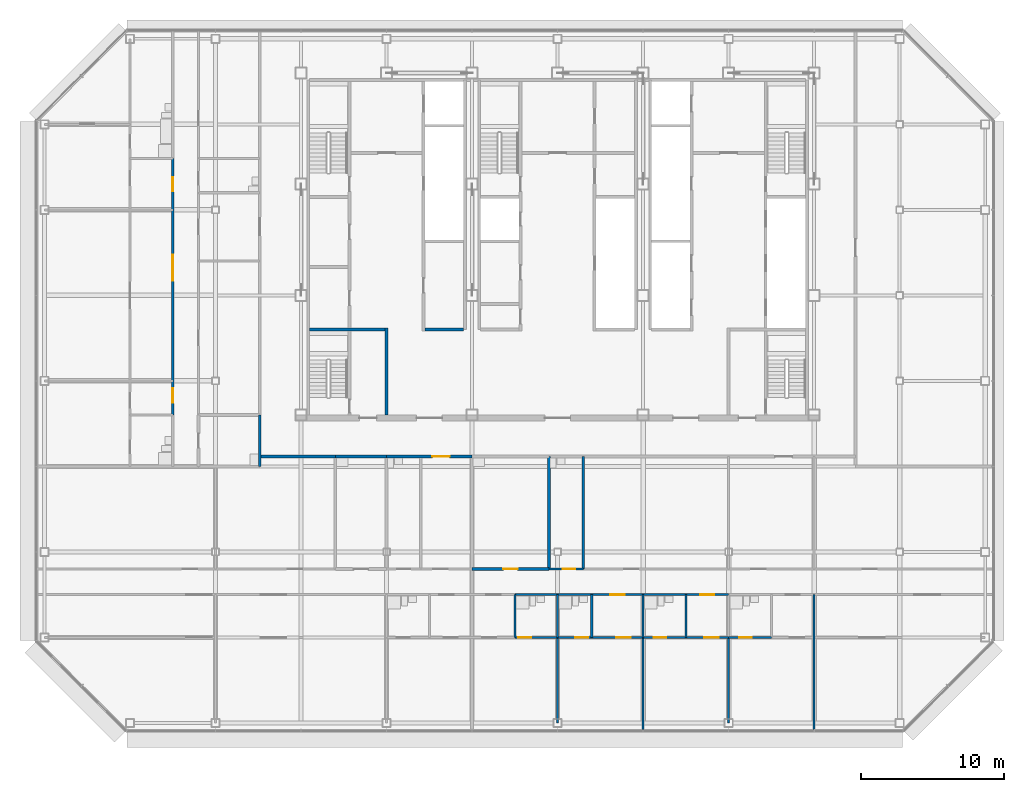
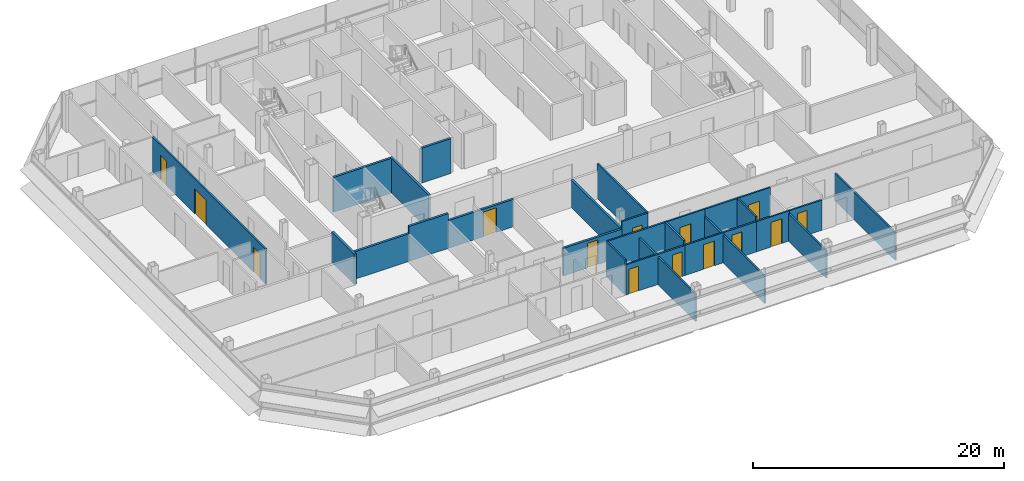
# One storey, part 22 of 28: 30 walls, 14 doors, 14 openings.
"""IFC4 building model written with IfcOpenShell, lengths in metres."""

from ifc_helpers import new_model, si_unit, direction, frame, frame_2d, origin, place, context, subcontext, project, spatial, rectangle, extrude, material, layer, layer_set, type_object, element, fill, save


model = new_model("IFC4")

# Units and contexts
model_context = context("Model", 3, precision=1e-05, world=origin(), true_north=direction((0.0, 1.0)))
body_context = subcontext(model_context, "Body", "Model", "MODEL_VIEW")
ifc_project = project(units=[si_unit("LENGTHUNIT", "METRE"), si_unit("AREAUNIT", "SQUARE_METRE"), si_unit("VOLUMEUNIT", "CUBIC_METRE"), si_unit("PLANEANGLEUNIT", "RADIAN"), si_unit("MASSUNIT", "GRAM", prefix="KILO")], contexts=[model_context])

# Site, building, storey
site_placement = place(None, origin())
site = spatial("IfcSite", under=ifc_project, at=site_placement, CompositionType="ELEMENT")
building_placement = place(site_placement, origin())
building = spatial("IfcBuilding", under=site, at=building_placement, Name="Sorahane Residences", CompositionType="ELEMENT")
storey_placement = place(building_placement, frame((0.0, 0.0, 254.0)))
storey = spatial("IfcBuildingStorey", under=building, at=storey_placement, Name="L60", CompositionType="ELEMENT", Elevation=254.0)

# Wall
ifc_material_1 = material(Name="Concrete blockwork C20 wall", Category="masonry")
ifc_layer_1 = layer(ifc_material_1, 0.199951171875)
ifc_layer_set_1 = layer_set([ifc_layer_1], Name="Corridor wall 200 EI 120")
wall_type_1 = type_object("IfcWallType", Name="Corridor wall 200 EI 120", PredefinedType="SOLIDWALL", material=ifc_layer_set_1)
wall_1_placement = place(storey_placement, frame((3.10009765625, 18.699951171875, 0.0), z_axis=(0.0, 0.0, 1.0), x_axis=(1.0, 0.0, 0.0)))
element("IfcWall", 1, at=wall_1_placement, inside=storey, type_object=wall_type_1, Name="L60 corridor wall", PredefinedType="SOLIDWALL", context=body_context, shape_type="SweptSolid", body=[
    extrude(rectangle(XDim=5.2998046875, YDim=0.199951171875, at=frame_2d((2.64990234375, 0.0))), origin(), (0.0, 0.0, 1.0), 2.679931640625),
])

# Wall, opening, door
wall_2_placement = place(storey_placement, frame((12.0, 18.699951171875, 0.0), z_axis=(0.0, 0.0, 1.0), x_axis=(1.0, 0.0, 0.0)))
wall_2 = element("IfcWall", 2, at=wall_2_placement, inside=storey, type_object=wall_type_1, Name="L60 corridor wall", PredefinedType="SOLIDWALL", context=body_context, shape_type="SweptSolid", body=[
    extrude(rectangle(XDim=6.0, YDim=0.199951171875, at=frame_2d((3.0, 0.0))), origin(), (0.0, 0.0, 1.0), 2.679931640625),
])
opening_1_placement = place(wall_2_placement, frame((3.219970703125, 0.0, 0.0)))
opening_1 = element("IfcOpeningElement", 3, at=opening_1_placement, cuts=wall_2, Name="Opening L60-46", PredefinedType="OPENING", context=body_context, shape_type="SweptSolid", body=[
    extrude(rectangle(XDim=1.199951171875, YDim=2.39990234375, at=frame_2d((0.60009765625, 1.199951171875))), frame((0.0, 0.10986328125, 0.0), z_axis=(0.0, -1.0, 0.0), x_axis=(1.0, 0.0, 0.0)), (0.0, 0.0, 1.0), 0.219970703125),
])
ifc_material_2 = material(Name="Timber veneered fire door", Category="wood")
door_type_1 = type_object("IfcDoorType", Name="Flat entrance door 1200x2400 FD60", OperationType="NOTDEFINED", PredefinedType="DOOR", material=ifc_material_2)
door_1_placement = place(opening_1_placement, frame((1.199951171875, 0.0, 0.0), z_axis=(0.0, 0.0, 1.0), x_axis=(-1.0, 0.0, 0.0)))
door_1 = element("IfcDoor", 4, at=door_1_placement, inside=storey, type_object=door_type_1, Name="Flat entrance door L60-46", OperationType="SINGLE_SWING_RIGHT", OverallHeight=2.39990234375, OverallWidth=1.199951171875, PredefinedType="DOOR", context=body_context, shape_type="SweptSolid", body=[
    extrude(rectangle(XDim=1.199951171875, YDim=2.39990234375, at=frame_2d((0.60009765625, 1.199951171875))), frame((0.0, 0.02490234375, 0.0), z_axis=(0.0, -1.0, 0.0), x_axis=(1.0, 0.0, 0.0)), (0.0, 0.0, 1.0), 0.050048828125),
])
fill(opening_1, door_1)

# Walls
ifc_material_3 = material(Name="Concrete C30", Category="concrete")
ifc_layer_2 = layer(ifc_material_3, 0.199951171875)
ifc_layer_set_2 = layer_set([ifc_layer_2], Name="Front room wall 200 EI 120")
wall_type_2 = type_object("IfcWallType", Name="Front room wall 200 EI 120", PredefinedType="PARTITIONING", material=ifc_layer_set_2)
wall_3_placement = place(storey_placement, frame((12.0, 21.60009765625, 0.0), z_axis=(0.0, 0.0, 1.0), x_axis=(0.0, 1.0, 0.0)))
element("IfcWall", 5, at=wall_3_placement, inside=storey, type_object=wall_type_2, Name="L60 front room wall", PredefinedType="PARTITIONING", context=body_context, shape_type="SweptSolid", body=[
    extrude(rectangle(XDim=6.099853515625, YDim=0.199951171875, at=frame_2d((3.0498046875, 0.0))), origin(), (0.0, 0.0, 1.0), 3.3798828125),
])
ifc_material_4 = material(Name="Concrete blockwork C20 wall", Category="masonry")
ifc_layer_3 = layer(ifc_material_4, 0.199951171875)
ifc_layer_set_3 = layer_set([ifc_layer_3], Name="Kitchen wall 200 EI 180")
wall_type_3 = type_object("IfcWallType", Name="Kitchen wall 200 EI 180", PredefinedType="SOLIDWALL", material=ifc_layer_set_3)
wall_4_placement = place(storey_placement, frame((23.39990234375, 10.800048828125, 0.0), z_axis=(0.0, 0.0, 1.0), x_axis=(0.0, 1.0, 0.0)))
element("IfcWall", 6, at=wall_4_placement, inside=storey, type_object=wall_type_3, Name="L60 kitchen wall", PredefinedType="SOLIDWALL", context=body_context, shape_type="SweptSolid", body=[
    extrude(rectangle(XDim=7.89990234375, YDim=0.199951171875, at=frame_2d((3.949951171875, 0.0))), origin(), (0.0, 0.0, 1.0), 2.679931640625),
])
wall_5_placement = place(storey_placement, frame((3.10009765625, 18.0, 0.0), z_axis=(0.0, 0.0, 1.0), x_axis=(0.0, 1.0, 0.0)))
element("IfcWall", 7, at=wall_5_placement, inside=storey, type_object=wall_type_3, Name="L60 kitchen wall", PredefinedType="SOLIDWALL", context=body_context, shape_type="SweptSolid", body=[
    extrude(rectangle(XDim=3.60009765625, YDim=0.199951171875, at=frame_2d((1.800048828125, 0.0))), origin(), (0.0, 0.0, 1.0), 2.929931640625),
])

# Wall, opening, door
wall_6_placement = place(storey_placement, frame((18.0, 10.800048828125, 0.0), z_axis=(0.0, 0.0, 1.0), x_axis=(1.0, 0.0, 0.0)))
wall_6 = element("IfcWall", 8, at=wall_6_placement, inside=storey, type_object=wall_type_3, Name="L60 kitchen wall", PredefinedType="SOLIDWALL", context=body_context, shape_type="SweptSolid", body=[
    extrude(rectangle(XDim=5.39990234375, YDim=0.199951171875, at=frame_2d((2.699951171875, 0.0))), origin(), (0.0, 0.0, 1.0), 2.679931640625),
])
opening_2_placement = place(wall_6_placement, frame((2.199951171875, 0.0, 0.0)))
opening_2 = element("IfcOpeningElement", 9, at=opening_2_placement, cuts=wall_6, Name="Opening L60-14", PredefinedType="OPENING", context=body_context, shape_type="SweptSolid", body=[
    extrude(rectangle(XDim=1.0, YDim=2.39990234375, at=frame_2d((0.5, 1.199951171875))), frame((0.0, 0.10986328125, 0.0), z_axis=(0.0, -1.0, 0.0), x_axis=(1.0, 0.0, 0.0)), (0.0, 0.0, 1.0), 0.219970703125),
])
ifc_material_5 = material(Name="Steel", Category="steel")
door_type_2 = type_object("IfcDoorType", Name="Kitchen door 1000x2400 FD120", OperationType="NOTDEFINED", PredefinedType="DOOR", material=ifc_material_5)
door_2_placement = place(opening_2_placement, origin())
door_2 = element("IfcDoor", 10, at=door_2_placement, inside=storey, type_object=door_type_2, Name="Kitchen door L60-14", OperationType="SINGLE_SWING_LEFT", OverallHeight=2.39990234375, OverallWidth=1.0, PredefinedType="DOOR", context=body_context, shape_type="SweptSolid", body=[
    extrude(rectangle(XDim=1.0, YDim=2.39990234375, at=frame_2d((0.5, 1.199951171875))), frame((0.0, 0.02490234375, 0.0), z_axis=(0.0, -1.0, 0.0), x_axis=(1.0, 0.0, 0.0)), (0.0, 0.0, 1.0), 0.050048828125),
])
fill(opening_2, door_2)

# Wall
wall_7_placement = place(storey_placement, frame((8.39990234375, 18.699951171875, 0.0), z_axis=(0.0, 0.0, 1.0), x_axis=(1.0, 0.0, 0.0)))
element("IfcWall", 11, at=wall_7_placement, inside=storey, type_object=wall_type_3, Name="L60 kitchen wall", PredefinedType="SOLIDWALL", context=body_context, shape_type="SweptSolid", body=[
    extrude(rectangle(XDim=3.60009765625, YDim=0.199951171875, at=frame_2d((1.800048828125, 0.0))), origin(), (0.0, 0.0, 1.0), 3.3798828125),
])

# Wall, openings, doors
ifc_material_6 = material(Name="Gypsum board partition on steel studs", Category="steel")
ifc_layer_4 = layer(ifc_material_6, 0.14990234375)
ifc_layer_set_4 = layer_set([ifc_layer_4], Name="Partition 150 EI 90")
wall_type_4 = type_object("IfcWallType", Name="Partition 150 EI 90", PredefinedType="PARTITIONING", material=ifc_layer_set_4)
wall_8_placement = place(storey_placement, frame((-3.0, 21.60009765625, 0.0), z_axis=(0.0, 0.0, 1.0), x_axis=(0.0, 1.0, 0.0)))
wall_8 = element("IfcWall", 12, at=wall_8_placement, inside=storey, type_object=wall_type_4, Name="L60 partition", PredefinedType="PARTITIONING", context=body_context, shape_type="SweptSolid", body=[
    extrude(rectangle(XDim=18.0, YDim=0.14990234375, at=frame_2d((9.0, 0.0))), origin(), (0.0, 0.0, 1.0), 3.3798828125),
])
opening_3_placement = place(wall_8_placement, frame((0.8798828125, 0.0, 0.0)))
opening_3 = element("IfcOpeningElement", 13, at=opening_3_placement, cuts=wall_8, Name="Opening L60-37", PredefinedType="OPENING", context=body_context, shape_type="SweptSolid", body=[
    extrude(rectangle(XDim=1.0, YDim=2.39990234375, at=frame_2d((0.5, 1.199951171875))), frame((0.0, 0.0849609375, 0.0), z_axis=(0.0, -1.0, 0.0), x_axis=(1.0, 0.0, 0.0)), (0.0, 0.0, 1.0), 0.169921875),
])
opening_4_placement = place(wall_8_placement, frame((9.43994140625, 0.0, 0.0)))
opening_4 = element("IfcOpeningElement", 14, at=opening_4_placement, cuts=wall_8, Name="Opening L60-38", PredefinedType="OPENING", context=body_context, shape_type="SweptSolid", body=[
    extrude(rectangle(XDim=1.800048828125, YDim=2.39990234375, at=frame_2d((0.89990234375, 1.199951171875))), frame((0.0, 0.0849609375, 0.0), z_axis=(0.0, -1.0, 0.0), x_axis=(1.0, 0.0, 0.0)), (0.0, 0.0, 1.0), 0.169921875),
])
opening_5_placement = place(wall_8_placement, frame((15.699951171875, 0.0, 0.0)))
opening_5 = element("IfcOpeningElement", 15, at=opening_5_placement, cuts=wall_8, Name="Opening L60-39", PredefinedType="OPENING", context=body_context, shape_type="SweptSolid", body=[
    extrude(rectangle(XDim=1.0, YDim=2.39990234375, at=frame_2d((0.5, 1.199951171875))), frame((0.0, 0.0849609375, 0.0), z_axis=(0.0, -1.0, 0.0), x_axis=(1.0, 0.0, 0.0)), (0.0, 0.0, 1.0), 0.169921875),
])
ifc_material_7 = material(Name="Timber veneered fire door", Category="wood")
door_type_3 = type_object("IfcDoorType", Name="Double door 1800x2400 FD30", OperationType="NOTDEFINED", PredefinedType="DOOR", material=ifc_material_7)
door_3_placement = place(opening_4_placement, origin())
door_3 = element("IfcDoor", 16, at=door_3_placement, inside=storey, type_object=door_type_3, Name="Double door L60-38", OperationType="SINGLE_SWING_LEFT", OverallHeight=2.39990234375, OverallWidth=1.800048828125, PredefinedType="DOOR", context=body_context, shape_type="SweptSolid", body=[
    extrude(rectangle(XDim=1.800048828125, YDim=2.39990234375, at=frame_2d((0.89990234375, 1.199951171875))), frame((0.0, 0.02490234375, 0.0), z_axis=(0.0, -1.0, 0.0), x_axis=(1.0, 0.0, 0.0)), (0.0, 0.0, 1.0), 0.050048828125),
])
fill(opening_4, door_3)
ifc_material_8 = material(Name="Timber veneered fire door", Category="wood")
door_type_4 = type_object("IfcDoorType", Name="Room door 1000x2400 FD30", OperationType="NOTDEFINED", PredefinedType="DOOR", material=ifc_material_8)
door_4_placement = place(opening_3_placement, origin())
door_4 = element("IfcDoor", 17, at=door_4_placement, inside=storey, type_object=door_type_4, Name="Room door L60-37", OperationType="SINGLE_SWING_LEFT", OverallHeight=2.39990234375, OverallWidth=1.0, PredefinedType="DOOR", context=body_context, shape_type="SweptSolid", body=[
    extrude(rectangle(XDim=1.0, YDim=2.39990234375, at=frame_2d((0.5, 1.199951171875))), frame((0.0, 0.02490234375, 0.0), z_axis=(0.0, -1.0, 0.0), x_axis=(1.0, 0.0, 0.0)), (0.0, 0.0, 1.0), 0.050048828125),
])
fill(opening_3, door_4)
door_5_placement = place(opening_5_placement, origin())
door_5 = element("IfcDoor", 18, at=door_5_placement, inside=storey, type_object=door_type_4, Name="Room door L60-39", OperationType="SINGLE_SWING_RIGHT", OverallHeight=2.39990234375, OverallWidth=1.0, PredefinedType="DOOR", context=body_context, shape_type="SweptSolid", body=[
    extrude(rectangle(XDim=1.0, YDim=2.39990234375, at=frame_2d((0.5, 1.199951171875))), frame((0.0, 0.02490234375, 0.0), z_axis=(0.0, -1.0, 0.0), x_axis=(1.0, 0.0, 0.0)), (0.0, 0.0, 1.0), 0.050048828125),
])
fill(opening_5, door_5)

# Walls
wall_9_placement = place(storey_placement, frame((24.0, 0.0, 0.0), z_axis=(0.0, 0.0, 1.0), x_axis=(0.0, 1.0, 0.0)))
element("IfcWall", 19, at=wall_9_placement, inside=storey, type_object=wall_type_4, Name="L60 partition", PredefinedType="PARTITIONING", context=body_context, shape_type="SweptSolid", body=[
    extrude(rectangle(XDim=6.0, YDim=0.14990234375, at=frame_2d((3.0, 0.0))), origin(), (0.0, 0.0, 1.0), 2.679931640625),
])
wall_10_placement = place(storey_placement, frame((30.0, -0.60009765625, 0.0), z_axis=(0.0, 0.0, 1.0), x_axis=(0.0, 1.0, 0.0)))
element("IfcWall", 20, at=wall_10_placement, inside=storey, type_object=wall_type_4, Name="L60 partition", PredefinedType="PARTITIONING", context=body_context, shape_type="SweptSolid", body=[
    extrude(rectangle(XDim=6.60009765625, YDim=0.14990234375, at=frame_2d((3.300048828125, 0.0))), origin(), (0.0, 0.0, 1.0), 2.679931640625),
])
wall_11_placement = place(storey_placement, frame((36.0, 0.0, 0.0), z_axis=(0.0, 0.0, 1.0), x_axis=(0.0, 1.0, 0.0)))
element("IfcWall", 21, at=wall_11_placement, inside=storey, type_object=wall_type_4, Name="L60 partition", PredefinedType="PARTITIONING", context=body_context, shape_type="SweptSolid", body=[
    extrude(rectangle(XDim=6.0, YDim=0.14990234375, at=frame_2d((3.0, 0.0))), origin(), (0.0, 0.0, 1.0), 2.679931640625),
])
wall_12_placement = place(storey_placement, frame((42.0, -0.60009765625, 0.0), z_axis=(0.0, 0.0, 1.0), x_axis=(0.0, 1.0, 0.0)))
element("IfcWall", 22, at=wall_12_placement, inside=storey, type_object=wall_type_4, Name="L60 partition", PredefinedType="PARTITIONING", context=body_context, shape_type="SweptSolid", body=[
    extrude(rectangle(XDim=9.60009765625, YDim=0.14990234375, at=frame_2d((4.800048828125, 0.0))), origin(), (0.0, 0.0, 1.0), 2.679931640625),
])

# Wall, opening, door
wall_13_placement = place(storey_placement, frame((26.39990234375, 6.0, 0.0), z_axis=(0.0, 0.0, 1.0), x_axis=(1.0, 0.0, 0.0)))
wall_13 = element("IfcWall", 23, at=wall_13_placement, inside=storey, type_object=wall_type_4, Name="L60 partition", PredefinedType="PARTITIONING", context=body_context, shape_type="SweptSolid", body=[
    extrude(rectangle(XDim=3.60009765625, YDim=0.14990234375, at=frame_2d((1.800048828125, 0.0))), origin(), (0.0, 0.0, 1.0), 2.929931640625),
])
opening_6_placement = place(wall_13_placement, frame((1.719970703125, 0.0, 0.0)))
opening_6 = element("IfcOpeningElement", 24, at=opening_6_placement, cuts=wall_13, Name="Opening L60-25", PredefinedType="OPENING", context=body_context, shape_type="SweptSolid", body=[
    extrude(rectangle(XDim=1.0, YDim=2.39990234375, at=frame_2d((0.5, 1.199951171875))), frame((0.0, 0.0849609375, 0.0), z_axis=(0.0, -1.0, 0.0), x_axis=(1.0, 0.0, 0.0)), (0.0, 0.0, 1.0), 0.169921875),
])
door_6_placement = place(opening_6_placement, frame((1.0, 0.0, 0.0), z_axis=(0.0, 0.0, 1.0), x_axis=(-1.0, 0.0, 0.0)))
door_6 = element("IfcDoor", 25, at=door_6_placement, inside=storey, type_object=door_type_4, Name="Room door L60-25", OperationType="SINGLE_SWING_LEFT", OverallHeight=2.39990234375, OverallWidth=1.0, PredefinedType="DOOR", context=body_context, shape_type="SweptSolid", body=[
    extrude(rectangle(XDim=1.0, YDim=2.39990234375, at=frame_2d((0.5, 1.199951171875))), frame((0.0, 0.02490234375, 0.0), z_axis=(0.0, -1.0, 0.0), x_axis=(1.0, 0.0, 0.0)), (0.0, 0.0, 1.0), 0.050048828125),
])
fill(opening_6, door_6)

wall_14_placement = place(storey_placement, frame((33.0, 6.0, 0.0), z_axis=(0.0, 0.0, 1.0), x_axis=(1.0, 0.0, 0.0)))
wall_14 = element("IfcWall", 26, at=wall_14_placement, inside=storey, type_object=wall_type_4, Name="L60 partition", PredefinedType="PARTITIONING", context=body_context, shape_type="SweptSolid", body=[
    extrude(rectangle(XDim=3.0, YDim=0.14990234375, at=frame_2d((1.5, 0.0))), origin(), (0.0, 0.0, 1.0), 2.929931640625),
])
opening_7_placement = place(wall_14_placement, frame((1.300048828125, 0.0, 0.0)))
opening_7 = element("IfcOpeningElement", 27, at=opening_7_placement, cuts=wall_14, Name="Opening L60-27", PredefinedType="OPENING", context=body_context, shape_type="SweptSolid", body=[
    extrude(rectangle(XDim=1.0, YDim=2.39990234375, at=frame_2d((0.5, 1.199951171875))), frame((0.0, 0.0849609375, 0.0), z_axis=(0.0, -1.0, 0.0), x_axis=(1.0, 0.0, 0.0)), (0.0, 0.0, 1.0), 0.169921875),
])
door_7_placement = place(opening_7_placement, frame((1.0, 0.0, 0.0), z_axis=(0.0, 0.0, 1.0), x_axis=(-1.0, 0.0, 0.0)))
door_7 = element("IfcDoor", 28, at=door_7_placement, inside=storey, type_object=door_type_4, Name="Room door L60-27", OperationType="SINGLE_SWING_RIGHT", OverallHeight=2.39990234375, OverallWidth=1.0, PredefinedType="DOOR", context=body_context, shape_type="SweptSolid", body=[
    extrude(rectangle(XDim=1.0, YDim=2.39990234375, at=frame_2d((0.5, 1.199951171875))), frame((0.0, 0.02490234375, 0.0), z_axis=(0.0, -1.0, 0.0), x_axis=(1.0, 0.0, 0.0)), (0.0, 0.0, 1.0), 0.050048828125),
])
fill(opening_7, door_7)

wall_15_placement = place(storey_placement, frame((26.39990234375, 9.0, 0.0), z_axis=(0.0, 0.0, 1.0), x_axis=(1.0, 0.0, 0.0)))
wall_15 = element("IfcWall", 29, at=wall_15_placement, inside=storey, type_object=wall_type_4, Name="L60 partition", PredefinedType="PARTITIONING", context=body_context, shape_type="SweptSolid", body=[
    extrude(rectangle(XDim=3.60009765625, YDim=0.14990234375, at=frame_2d((1.800048828125, 0.0))), origin(), (0.0, 0.0, 1.0), 3.3798828125),
])
opening_8_placement = place(wall_15_placement, frame((1.300048828125, 0.0, 0.0)))
opening_8 = element("IfcOpeningElement", 30, at=opening_8_placement, cuts=wall_15, Name="Opening L60-19", PredefinedType="OPENING", context=body_context, shape_type="SweptSolid", body=[
    extrude(rectangle(XDim=1.0, YDim=2.39990234375, at=frame_2d((0.5, 1.199951171875))), frame((0.0, 0.0849609375, 0.0), z_axis=(0.0, -1.0, 0.0), x_axis=(1.0, 0.0, 0.0)), (0.0, 0.0, 1.0), 0.169921875),
])
door_8_placement = place(opening_8_placement, frame((1.0, 0.0, 0.0), z_axis=(0.0, 0.0, 1.0), x_axis=(-1.0, 0.0, 0.0)))
door_8 = element("IfcDoor", 31, at=door_8_placement, inside=storey, type_object=door_type_4, Name="Room door L60-19", OperationType="SINGLE_SWING_LEFT", OverallHeight=2.39990234375, OverallWidth=1.0, PredefinedType="DOOR", context=body_context, shape_type="SweptSolid", body=[
    extrude(rectangle(XDim=1.0, YDim=2.39990234375, at=frame_2d((0.5, 1.199951171875))), frame((0.0, 0.02490234375, 0.0), z_axis=(0.0, -1.0, 0.0), x_axis=(1.0, 0.0, 0.0)), (0.0, 0.0, 1.0), 0.050048828125),
])
fill(opening_8, door_8)

wall_16_placement = place(storey_placement, frame((33.0, 9.0, 0.0), z_axis=(0.0, 0.0, 1.0), x_axis=(1.0, 0.0, 0.0)))
wall_16 = element("IfcWall", 32, at=wall_16_placement, inside=storey, type_object=wall_type_4, Name="L60 partition", PredefinedType="PARTITIONING", context=body_context, shape_type="SweptSolid", body=[
    extrude(rectangle(XDim=3.0, YDim=0.14990234375, at=frame_2d((1.5, 0.0))), origin(), (0.0, 0.0, 1.0), 3.3798828125),
])
opening_9_placement = place(wall_16_placement, frame((1.0, 0.0, 0.0)))
opening_9 = element("IfcOpeningElement", 33, at=opening_9_placement, cuts=wall_16, Name="Opening L60-20", PredefinedType="OPENING", context=body_context, shape_type="SweptSolid", body=[
    extrude(rectangle(XDim=1.0, YDim=2.39990234375, at=frame_2d((0.5, 1.199951171875))), frame((0.0, 0.0849609375, 0.0), z_axis=(0.0, -1.0, 0.0), x_axis=(1.0, 0.0, 0.0)), (0.0, 0.0, 1.0), 0.169921875),
])
door_9_placement = place(opening_9_placement, frame((1.0, 0.0, 0.0), z_axis=(0.0, 0.0, 1.0), x_axis=(-1.0, 0.0, 0.0)))
door_9 = element("IfcDoor", 34, at=door_9_placement, inside=storey, type_object=door_type_4, Name="Room door L60-20", OperationType="SINGLE_SWING_RIGHT", OverallHeight=2.39990234375, OverallWidth=1.0, PredefinedType="DOOR", context=body_context, shape_type="SweptSolid", body=[
    extrude(rectangle(XDim=1.0, YDim=2.39990234375, at=frame_2d((0.5, 1.199951171875))), frame((0.0, 0.02490234375, 0.0), z_axis=(0.0, -1.0, 0.0), x_axis=(1.0, 0.0, 0.0)), (0.0, 0.0, 1.0), 0.050048828125),
])
fill(opening_9, door_9)

# Walls
ifc_material_9 = material(Name="Concrete C30", Category="concrete")
ifc_layer_5 = layer(ifc_material_9, 0.199951171875)
ifc_layer_set_5 = layer_set([ifc_layer_5], Name="Service room partition 200 EI 60")
wall_type_5 = type_object("IfcWallType", Name="Service room partition 200 EI 60", PredefinedType="PARTITIONING", material=ifc_layer_set_5)
wall_17_placement = place(storey_placement, frame((14.699951171875, 27.60009765625, 0.0), z_axis=(0.0, 0.0, 1.0), x_axis=(1.0, 0.0, 0.0)))
element("IfcWall", 35, at=wall_17_placement, inside=storey, type_object=wall_type_5, Name="L60 service room wall", PredefinedType="PARTITIONING", context=body_context, shape_type="SweptSolid", body=[
    extrude(rectangle(XDim=2.699951171875, YDim=0.199951171875, at=frame_2d((1.35009765625, 0.0))), origin(), (0.0, 0.0, 1.0), 3.3798828125),
])
ifc_material_10 = material(Name="Concrete C30", Category="concrete")
ifc_layer_6 = layer(ifc_material_10, 0.199951171875)
ifc_layer_set_6 = layer_set([ifc_layer_6], Name="Stair enclosure wall 200 EI 120")
wall_type_6 = type_object("IfcWallType", Name="Stair enclosure wall 200 EI 120", PredefinedType="SOLIDWALL", material=ifc_layer_set_6)
wall_18_placement = place(storey_placement, frame((6.60009765625, 27.60009765625, 0.0), z_axis=(0.0, 0.0, 1.0), x_axis=(1.0, 0.0, 0.0)))
element("IfcWall", 36, at=wall_18_placement, inside=storey, type_object=wall_type_6, Name="L60 stair enclosure wall", PredefinedType="SOLIDWALL", context=body_context, shape_type="SweptSolid", body=[
    extrude(rectangle(XDim=5.2998046875, YDim=0.199951171875, at=frame_2d((2.64990234375, 0.0))), origin(), (0.0, 0.0, 1.0), 3.3798828125),
])
ifc_material_11 = material(Name="Gypsum board partition on steel studs", Category="steel")
ifc_layer_7 = layer(ifc_material_11, 0.14990234375)
ifc_layer_set_7 = layer_set([ifc_layer_7], Name="Wet wall 150 EI 90")
wall_type_7 = type_object("IfcWallType", Name="Wet wall 150 EI 90", PredefinedType="PARTITIONING", material=ifc_layer_set_7)
wall_19_placement = place(storey_placement, frame((21.0, 6.0, 0.0), z_axis=(0.0, 0.0, 1.0), x_axis=(0.0, 1.0, 0.0)))
element("IfcWall", 37, at=wall_19_placement, inside=storey, type_object=wall_type_7, Name="L60 wet wall", PredefinedType="PARTITIONING", context=body_context, shape_type="SweptSolid", body=[
    extrude(rectangle(XDim=3.0, YDim=0.14990234375, at=frame_2d((1.5, 0.0))), origin(), (0.0, 0.0, 1.0), 3.3798828125),
])
wall_20_placement = place(storey_placement, frame((24.0, 6.0, 0.0), z_axis=(0.0, 0.0, 1.0), x_axis=(0.0, 1.0, 0.0)))
element("IfcWall", 38, at=wall_20_placement, inside=storey, type_object=wall_type_7, Name="L60 wet wall", PredefinedType="PARTITIONING", context=body_context, shape_type="SweptSolid", body=[
    extrude(rectangle(XDim=3.0, YDim=0.14990234375, at=frame_2d((1.5, 0.0))), origin(), (0.0, 0.0, 1.0), 2.679931640625),
])
wall_21_placement = place(storey_placement, frame((25.800048828125, 10.800048828125, 0.0), z_axis=(0.0, 0.0, 1.0), x_axis=(0.0, 1.0, 0.0)))
element("IfcWall", 39, at=wall_21_placement, inside=storey, type_object=wall_type_7, Name="L60 wet wall", PredefinedType="PARTITIONING", context=body_context, shape_type="SweptSolid", body=[
    extrude(rectangle(XDim=7.89990234375, YDim=0.14990234375, at=frame_2d((3.949951171875, 0.0))), origin(), (0.0, 0.0, 1.0), 3.3798828125),
])
wall_22_placement = place(storey_placement, frame((26.39990234375, 6.0, 0.0), z_axis=(0.0, 0.0, 1.0), x_axis=(0.0, 1.0, 0.0)))
element("IfcWall", 40, at=wall_22_placement, inside=storey, type_object=wall_type_7, Name="L60 wet wall", PredefinedType="PARTITIONING", context=body_context, shape_type="SweptSolid", body=[
    extrude(rectangle(XDim=3.0, YDim=0.14990234375, at=frame_2d((1.5, 0.0))), origin(), (0.0, 0.0, 1.0), 3.3798828125),
])
wall_23_placement = place(storey_placement, frame((30.0, 6.0, 0.0), z_axis=(0.0, 0.0, 1.0), x_axis=(0.0, 1.0, 0.0)))
element("IfcWall", 41, at=wall_23_placement, inside=storey, type_object=wall_type_7, Name="L60 wet wall", PredefinedType="PARTITIONING", context=body_context, shape_type="SweptSolid", body=[
    extrude(rectangle(XDim=3.0, YDim=0.14990234375, at=frame_2d((1.5, 0.0))), origin(), (0.0, 0.0, 1.0), 2.679931640625),
])
wall_24_placement = place(storey_placement, frame((33.0, 6.0, 0.0), z_axis=(0.0, 0.0, 1.0), x_axis=(0.0, 1.0, 0.0)))
element("IfcWall", 42, at=wall_24_placement, inside=storey, type_object=wall_type_7, Name="L60 wet wall", PredefinedType="PARTITIONING", context=body_context, shape_type="SweptSolid", body=[
    extrude(rectangle(XDim=3.0, YDim=0.14990234375, at=frame_2d((1.5, 0.0))), origin(), (0.0, 0.0, 1.0), 3.3798828125),
])

# Wall, opening, door
wall_25_placement = place(storey_placement, frame((23.39990234375, 10.800048828125, 0.0), z_axis=(0.0, 0.0, 1.0), x_axis=(1.0, 0.0, 0.0)))
wall_25 = element("IfcWall", 43, at=wall_25_placement, inside=storey, type_object=wall_type_7, Name="L60 wet wall", PredefinedType="PARTITIONING", context=body_context, shape_type="SweptSolid", body=[
    extrude(rectangle(XDim=2.400146484375, YDim=0.14990234375, at=frame_2d((1.2001953125, 0.0))), origin(), (0.0, 0.0, 1.0), 3.3798828125),
])
opening_10_placement = place(wall_25_placement, frame((0.949951171875, 0.0, 0.0)))
opening_10 = element("IfcOpeningElement", 44, at=opening_10_placement, cuts=wall_25, Name="Opening L60-15", PredefinedType="OPENING", context=body_context, shape_type="SweptSolid", body=[
    extrude(rectangle(XDim=0.89990234375, YDim=2.39990234375, at=frame_2d((0.449951171875, 1.199951171875))), frame((0.0, 0.0849609375, 0.0), z_axis=(0.0, -1.0, 0.0), x_axis=(1.0, 0.0, 0.0)), (0.0, 0.0, 1.0), 0.169921875),
])
ifc_material_12 = material(Name="Timber veneered fire door", Category="wood")
door_type_5 = type_object("IfcDoorType", Name="Bathroom door 900x2400 FD30", OperationType="NOTDEFINED", PredefinedType="DOOR", material=ifc_material_12)
door_10_placement = place(opening_10_placement, frame((0.89990234375, 0.0, 0.0), z_axis=(0.0, 0.0, 1.0), x_axis=(-1.0, 0.0, 0.0)))
door_10 = element("IfcDoor", 45, at=door_10_placement, inside=storey, type_object=door_type_5, Name="Bathroom door L60-15", OperationType="SINGLE_SWING_RIGHT", OverallHeight=2.39990234375, OverallWidth=0.89990234375, PredefinedType="DOOR", context=body_context, shape_type="SweptSolid", body=[
    extrude(rectangle(XDim=0.89990234375, YDim=2.39990234375, at=frame_2d((0.449951171875, 1.199951171875))), frame((0.0, 0.02490234375, 0.0), z_axis=(0.0, -1.0, 0.0), x_axis=(1.0, 0.0, 0.0)), (0.0, 0.0, 1.0), 0.050048828125),
])
fill(opening_10, door_10)

# Wall, openings, doors
wall_26_placement = place(storey_placement, frame((21.0, 6.0, 0.0), z_axis=(0.0, 0.0, 1.0), x_axis=(1.0, 0.0, 0.0)))
wall_26 = element("IfcWall", 46, at=wall_26_placement, inside=storey, type_object=wall_type_7, Name="L60 wet wall", PredefinedType="PARTITIONING", context=body_context, shape_type="SweptSolid", body=[
    extrude(rectangle(XDim=5.39990234375, YDim=0.14990234375, at=frame_2d((2.699951171875, 0.0))), origin(), (0.0, 0.0, 1.0), 2.929931640625),
])
opening_11_placement = place(wall_26_placement, frame((0.25, 0.0, 0.0)))
opening_11 = element("IfcOpeningElement", 47, at=opening_11_placement, cuts=wall_26, Name="Opening L60-24", PredefinedType="OPENING", context=body_context, shape_type="SweptSolid", body=[
    extrude(rectangle(XDim=0.89990234375, YDim=2.39990234375, at=frame_2d((0.449951171875, 1.199951171875))), frame((0.0, 0.0849609375, 0.0), z_axis=(0.0, -1.0, 0.0), x_axis=(1.0, 0.0, 0.0)), (0.0, 0.0, 1.0), 0.169921875),
])
opening_12_placement = place(wall_26_placement, frame((4.25, 0.0, 0.0)))
opening_12 = element("IfcOpeningElement", 48, at=opening_12_placement, cuts=wall_26, Name="Opening L60-26", PredefinedType="OPENING", context=body_context, shape_type="SweptSolid", body=[
    extrude(rectangle(XDim=0.89990234375, YDim=2.39990234375, at=frame_2d((0.449951171875, 1.199951171875))), frame((0.0, 0.0849609375, 0.0), z_axis=(0.0, -1.0, 0.0), x_axis=(1.0, 0.0, 0.0)), (0.0, 0.0, 1.0), 0.169921875),
])
door_11_placement = place(opening_11_placement, frame((0.89990234375, 0.0, 0.0), z_axis=(0.0, 0.0, 1.0), x_axis=(-1.0, 0.0, 0.0)))
door_11 = element("IfcDoor", 49, at=door_11_placement, inside=storey, type_object=door_type_5, Name="Bathroom door L60-24", OperationType="SINGLE_SWING_LEFT", OverallHeight=2.39990234375, OverallWidth=0.89990234375, PredefinedType="DOOR", context=body_context, shape_type="SweptSolid", body=[
    extrude(rectangle(XDim=0.89990234375, YDim=2.39990234375, at=frame_2d((0.449951171875, 1.199951171875))), frame((0.0, 0.02490234375, 0.0), z_axis=(0.0, -1.0, 0.0), x_axis=(1.0, 0.0, 0.0)), (0.0, 0.0, 1.0), 0.050048828125),
])
fill(opening_11, door_11)
door_12_placement = place(opening_12_placement, frame((0.89990234375, 0.0, 0.0), z_axis=(0.0, 0.0, 1.0), x_axis=(-1.0, 0.0, 0.0)))
door_12 = element("IfcDoor", 50, at=door_12_placement, inside=storey, type_object=door_type_5, Name="Bathroom door L60-26", OperationType="SINGLE_SWING_LEFT", OverallHeight=2.39990234375, OverallWidth=0.89990234375, PredefinedType="DOOR", context=body_context, shape_type="SweptSolid", body=[
    extrude(rectangle(XDim=0.89990234375, YDim=2.39990234375, at=frame_2d((0.449951171875, 1.199951171875))), frame((0.0, 0.02490234375, 0.0), z_axis=(0.0, -1.0, 0.0), x_axis=(1.0, 0.0, 0.0)), (0.0, 0.0, 1.0), 0.050048828125),
])
fill(opening_12, door_12)

# Wall, opening, door
wall_27_placement = place(storey_placement, frame((30.0, 6.0, 0.0), z_axis=(0.0, 0.0, 1.0), x_axis=(1.0, 0.0, 0.0)))
wall_27 = element("IfcWall", 51, at=wall_27_placement, inside=storey, type_object=wall_type_7, Name="L60 wet wall", PredefinedType="PARTITIONING", context=body_context, shape_type="SweptSolid", body=[
    extrude(rectangle(XDim=3.0, YDim=0.14990234375, at=frame_2d((1.5, 0.0))), origin(), (0.0, 0.0, 1.0), 2.929931640625),
])
opening_13_placement = place(wall_27_placement, frame((0.72998046875, 0.0, 0.0)))
opening_13 = element("IfcOpeningElement", 52, at=opening_13_placement, cuts=wall_27, Name="Opening L60-28", PredefinedType="OPENING", context=body_context, shape_type="SweptSolid", body=[
    extrude(rectangle(XDim=0.89990234375, YDim=2.39990234375, at=frame_2d((0.449951171875, 1.199951171875))), frame((0.0, 0.0849609375, 0.0), z_axis=(0.0, -1.0, 0.0), x_axis=(1.0, 0.0, 0.0)), (0.0, 0.0, 1.0), 0.169921875),
])
door_13_placement = place(opening_13_placement, frame((0.89990234375, 0.0, 0.0), z_axis=(0.0, 0.0, 1.0), x_axis=(-1.0, 0.0, 0.0)))
door_13 = element("IfcDoor", 53, at=door_13_placement, inside=storey, type_object=door_type_5, Name="Bathroom door L60-28", OperationType="SINGLE_SWING_LEFT", OverallHeight=2.39990234375, OverallWidth=0.89990234375, PredefinedType="DOOR", context=body_context, shape_type="SweptSolid", body=[
    extrude(rectangle(XDim=0.89990234375, YDim=2.39990234375, at=frame_2d((0.449951171875, 1.199951171875))), frame((0.0, 0.02490234375, 0.0), z_axis=(0.0, -1.0, 0.0), x_axis=(1.0, 0.0, 0.0)), (0.0, 0.0, 1.0), 0.050048828125),
])
fill(opening_13, door_13)

wall_28_placement = place(storey_placement, frame((36.0, 6.0, 0.0), z_axis=(0.0, 0.0, 1.0), x_axis=(1.0, 0.0, 0.0)))
wall_28 = element("IfcWall", 54, at=wall_28_placement, inside=storey, type_object=wall_type_7, Name="L60 wet wall", PredefinedType="PARTITIONING", context=body_context, shape_type="SweptSolid", body=[
    extrude(rectangle(XDim=3.0, YDim=0.14990234375, at=frame_2d((1.5, 0.0))), origin(), (0.0, 0.0, 1.0), 2.929931640625),
])
opening_14_placement = place(wall_28_placement, frame((0.72998046875, 0.0, 0.0)))
opening_14 = element("IfcOpeningElement", 55, at=opening_14_placement, cuts=wall_28, Name="Opening L60-30", PredefinedType="OPENING", context=body_context, shape_type="SweptSolid", body=[
    extrude(rectangle(XDim=0.89990234375, YDim=2.39990234375, at=frame_2d((0.449951171875, 1.199951171875))), frame((0.0, 0.0849609375, 0.0), z_axis=(0.0, -1.0, 0.0), x_axis=(1.0, 0.0, 0.0)), (0.0, 0.0, 1.0), 0.169921875),
])
door_14_placement = place(opening_14_placement, frame((0.89990234375, 0.0, 0.0), z_axis=(0.0, 0.0, 1.0), x_axis=(-1.0, 0.0, 0.0)))
door_14 = element("IfcDoor", 56, at=door_14_placement, inside=storey, type_object=door_type_5, Name="Bathroom door L60-30", OperationType="SINGLE_SWING_RIGHT", OverallHeight=2.39990234375, OverallWidth=0.89990234375, PredefinedType="DOOR", context=body_context, shape_type="SweptSolid", body=[
    extrude(rectangle(XDim=0.89990234375, YDim=2.39990234375, at=frame_2d((0.449951171875, 1.199951171875))), frame((0.0, 0.02490234375, 0.0), z_axis=(0.0, -1.0, 0.0), x_axis=(1.0, 0.0, 0.0)), (0.0, 0.0, 1.0), 0.050048828125),
])
fill(opening_14, door_14)

# Walls
wall_29_placement = place(storey_placement, frame((21.0, 9.0, 0.0), z_axis=(0.0, 0.0, 1.0), x_axis=(1.0, 0.0, 0.0)))
element("IfcWall", 57, at=wall_29_placement, inside=storey, type_object=wall_type_7, Name="L60 wet wall", PredefinedType="PARTITIONING", context=body_context, shape_type="SweptSolid", body=[
    extrude(rectangle(XDim=5.39990234375, YDim=0.14990234375, at=frame_2d((2.699951171875, 0.0))), origin(), (0.0, 0.0, 1.0), 3.3798828125),
])
wall_30_placement = place(storey_placement, frame((30.0, 9.0, 0.0), z_axis=(0.0, 0.0, 1.0), x_axis=(1.0, 0.0, 0.0)))
element("IfcWall", 58, at=wall_30_placement, inside=storey, type_object=wall_type_7, Name="L60 wet wall", PredefinedType="PARTITIONING", context=body_context, shape_type="SweptSolid", body=[
    extrude(rectangle(XDim=3.0, YDim=0.14990234375, at=frame_2d((1.5, 0.0))), origin(), (0.0, 0.0, 1.0), 3.3798828125),
])

save(model, "model.ifc")
